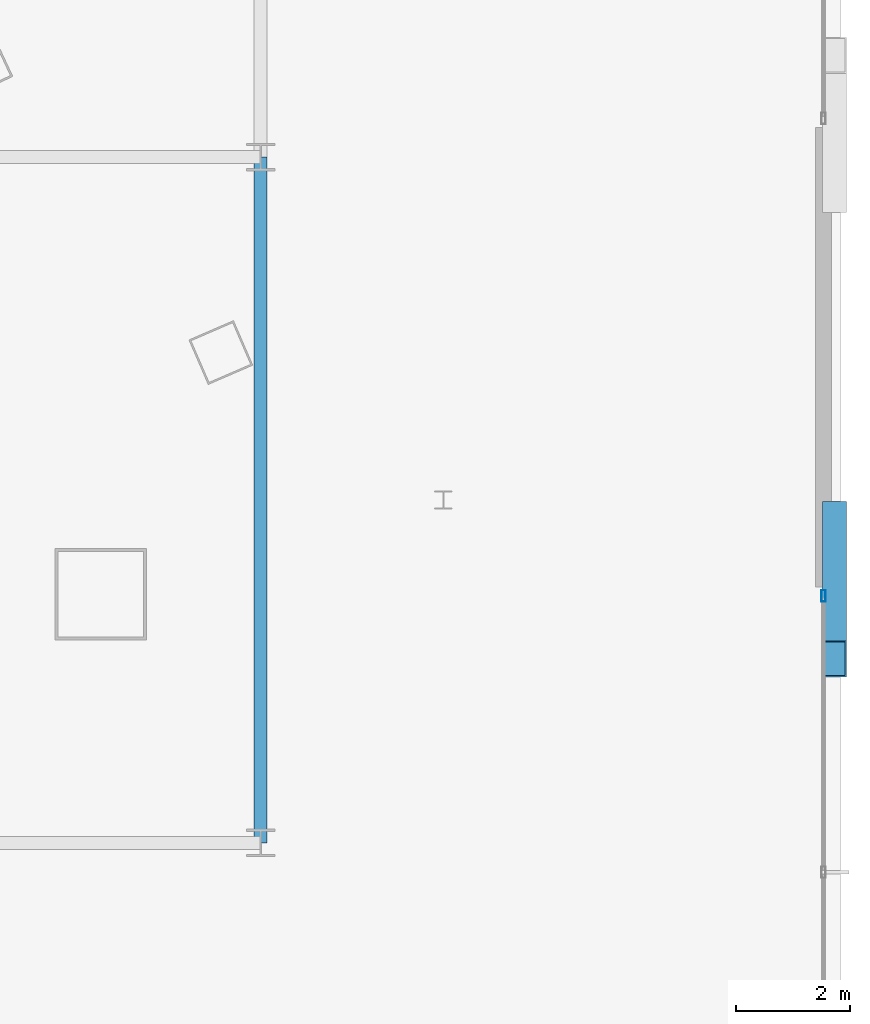
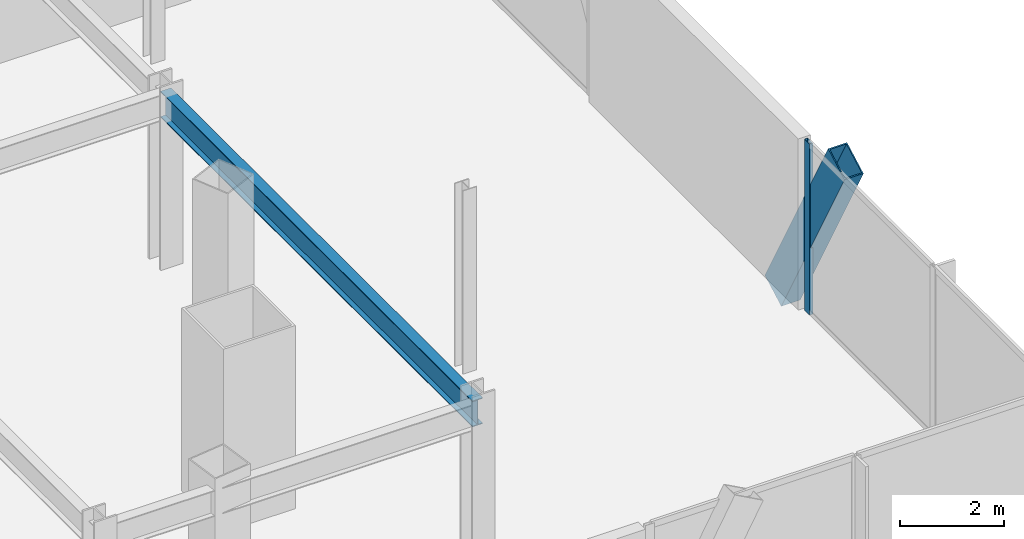
# One storey, part 18 of 42: 2 members, 1 beam, 1 element without a shape of its own.
"""IFC4 building model written with IfcOpenShell, lengths in metres."""

import ifcopenshell
import ifcopenshell.guid

model = None  # the IFC model being written
_history = None  # IfcOwnerHistory: only IFC2X3 demands one
_inside = {}  # id of a spatial element -> (the spatial element, [elements in it])
_under = {}  # id of a project, library or spatial element -> (it, [spatial elements below it])
_declared = {}  # id of a project -> (the project, [libraries it declares])
_typed = {}  # id of a type object -> (the type object, [elements of that type])
_made_of = {}  # id of a material, layer set ... -> (it, [elements and type objects made of it])


def new_model(schema):
    """Start an empty IFC model of exactly this schema.

    Asked for "IFC4X3", IfcOpenShell would pick the latest addendum, in which some entities
    have other attributes; the version numbers below select the first issue.
    IFC2X3 requires an IfcOwnerHistory on every rooted entity: one is made here for all.
    """
    global model, _history
    if schema == "IFC4X3":
        model = ifcopenshell.file(schema_version=(4, 3, 0, 0))
    else:
        model = ifcopenshell.file(schema=schema)
    _inside.clear()
    _under.clear()
    _declared.clear()
    _typed.clear()
    _made_of.clear()
    _history = None
    if model.schema == "IFC2X3":
        org = make("IfcOrganization", Name="unknown")
        user = make(
            "IfcPersonAndOrganization",
            ThePerson=make("IfcPerson", FamilyName="unknown"),
            TheOrganization=org,
        )
        app = make(
            "IfcApplication",
            ApplicationDeveloper=org,
            Version="unknown",
            ApplicationFullName="unknown",
            ApplicationIdentifier="unknown",
        )
        _history = make(
            "IfcOwnerHistory",
            OwningUser=user,
            OwningApplication=app,
            ChangeAction="ADDED",
            CreationDate=0,
        )
    return model


def make(cls, **values):
    """One entity of the class cls with the attributes given. An attribute that is None is left unset."""
    return model.create_entity(
        cls, **{name: value for name, value in values.items() if value is not None}
    )


def rooted(cls, **values):
    """An entity with a GlobalId (a new one), such as an element, a storey or a relation."""
    return make(cls, GlobalId=ifcopenshell.guid.new(), OwnerHistory=_history, **values)


def si_unit(unit_type, name, prefix=None):
    """IfcSIUnit, for example si_unit("LENGTHUNIT", "METRE", prefix="MILLI")."""
    return make("IfcSIUnit", UnitType=unit_type, Prefix=prefix, Name=name)


def assignment(units):
    """IfcUnitAssignment: the units of a project."""
    return None if units is None else make("IfcUnitAssignment", Units=units)


def point(xyz):
    """IfcCartesianPoint."""
    return None if xyz is None else make("IfcCartesianPoint", Coordinates=xyz)


def direction(xyz):
    """IfcDirection."""
    return None if xyz is None else make("IfcDirection", DirectionRatios=xyz)


def frame(location, z_axis=None, x_axis=None):
    """IfcAxis2Placement3D, a coordinate frame: its origin and axes. An axis left out is left unset."""
    return make(
        "IfcAxis2Placement3D",
        Location=point(location),
        Axis=direction(z_axis),
        RefDirection=direction(x_axis),
    )


def frame_2d(location, x_axis=None):
    """IfcAxis2Placement2D, a coordinate frame in the plane: its origin and x axis."""
    return make(
        "IfcAxis2Placement2D", Location=point(location), RefDirection=direction(x_axis)
    )


def origin():
    """The frame at (0, 0, 0) with its axes left unset."""
    return frame((0.0, 0.0, 0.0))


def origin_2d():
    """The frame at (0, 0) in the plane with its x axis left unset."""
    return frame_2d((0.0, 0.0))


def place(relative_to, where):
    """IfcLocalPlacement: puts the frame where relative to a parent placement (None: the world)."""
    return make(
        "IfcLocalPlacement", PlacementRelTo=relative_to, RelativePlacement=where
    )


def context(
    kind, dimensions, precision=None, world=None, true_north=None, identifier=None
):
    """IfcGeometricRepresentationContext, for example the 3D "Model" context."""
    return make(
        "IfcGeometricRepresentationContext",
        ContextIdentifier=identifier,
        ContextType=kind,
        CoordinateSpaceDimension=dimensions,
        Precision=precision,
        WorldCoordinateSystem=world,
        TrueNorth=true_north,
    )


def subcontext(parent, identifier, kind, view, scale=None):
    """IfcGeometricRepresentationSubContext, for example "Body" below "Model"."""
    return make(
        "IfcGeometricRepresentationSubContext",
        ContextIdentifier=identifier,
        ContextType=kind,
        ParentContext=parent,
        TargetScale=scale,
        TargetView=view,
    )


def project(units=None, contexts=None):
    """IfcProject with its units and contexts."""
    return rooted(
        "IfcProject",
        Name="project",
        RepresentationContexts=contexts,
        UnitsInContext=assignment(units),
    )


def spatial(cls, under=None, at=None, **own):
    """A site, building, storey or space (cls), placed at a placement, below another one or the project."""
    s = rooted(cls, ObjectPlacement=at, **own)
    if under is not None:
        _under.setdefault(under.id(), (under, []))[1].append(s)
    return s


def profile(cls, at=None, kind="AREA", **sizes):
    """A parametric profile (cls). Its sizes go by their IFC names, for example OverallWidth=200.0."""
    return make(cls, ProfileType=kind, Position=at, **sizes)


def hollow_rectangle(**sizes):
    """IfcRectangleHollowProfileDef."""
    return profile("IfcRectangleHollowProfileDef", **sizes)


def i_section(**sizes):
    """IfcIShapeProfileDef."""
    return profile("IfcIShapeProfileDef", **sizes)


def extrude(swept, where, along, depth):
    """IfcExtrudedAreaSolid: the profile swept, set in the frame where, extruded along a direction by depth."""
    return make(
        "IfcExtrudedAreaSolid",
        SweptArea=swept,
        Position=where,
        ExtrudedDirection=direction(along),
        Depth=depth,
    )


def shape(context_of_items, identifier, shape_type, items):
    """IfcShapeRepresentation: the items that make up one representation, for example the "Body"."""
    return make(
        "IfcShapeRepresentation",
        ContextOfItems=context_of_items,
        RepresentationIdentifier=identifier,
        RepresentationType=shape_type,
        Items=items,
    )


def material(Name=None, Category=None):
    """IfcMaterial."""
    return make("IfcMaterial", Name=Name, Category=Category)


def layer(
    of_material, thickness, ventilated=None, Name=None, Category=None, Priority=None
):
    """IfcMaterialLayer: one layer of a wall or slab, of a material (None: an air gap)."""
    return make(
        "IfcMaterialLayer",
        Material=of_material,
        LayerThickness=thickness,
        IsVentilated=ventilated,
        Name=Name,
        Category=Category,
        Priority=Priority,
    )


def layer_set(layers, Name=None):
    """IfcMaterialLayerSet."""
    return make("IfcMaterialLayerSet", MaterialLayers=layers, LayerSetName=Name)


def material_profile(
    of_material, cross_section, Name=None, Category=None, Priority=None
):
    """IfcMaterialProfile: a cross section and its material."""
    return make(
        "IfcMaterialProfile",
        Name=Name,
        Material=of_material,
        Profile=cross_section,
        Priority=Priority,
        Category=Category,
    )


def profile_set(profiles, Name=None, composite=None):
    """IfcMaterialProfileSet."""
    return make(
        "IfcMaterialProfileSet",
        Name=Name,
        MaterialProfiles=profiles,
        CompositeProfile=composite,
    )


def made_of(thing, what):
    """Note that an element or type object is made of a material, layer set ...; save() writes the relation."""
    if what is not None:
        _made_of.setdefault(what.id(), (what, []))[1].append(thing)
    return thing


def type_object(cls, material=None, **own):
    """A type object (cls), such as IfcWallType, which elements share."""
    return made_of(rooted(cls, **own), material)


def element(
    cls,
    number,
    at=None,
    inside=None,
    cuts=None,
    type_object=None,
    material=None,
    context=None,
    identifier="Body",
    shape_type=None,
    held_by="IfcProductDefinitionShape",
    body=None,
    shapes=None,
    **own,
):
    """One element of the class cls, such as IfcWall. Its Tag is "e" and its number.

    at: its placement. inside: the storey or other place that contains it. cuts: it is an
    opening in that element (IfcRelVoidsElement). A single representation is given by context,
    identifier, shape_type and body (its items); several are given by shapes. held_by: the class
    of the entity that holds the representations. save() writes the other relations.
    """
    e = rooted(cls, Tag="e%d" % number, ObjectPlacement=at, **own)
    if body is not None:
        shapes = [shape(context, identifier, shape_type, body)]
    if shapes is not None:
        e.Representation = make(held_by, Representations=shapes)
    if inside is not None:
        _inside.setdefault(inside.id(), (inside, []))[1].append(e)
    if cuts is not None:
        rooted(
            "IfcRelVoidsElement", RelatingBuildingElement=cuts, RelatedOpeningElement=e
        )
    if type_object is not None:
        _typed.setdefault(type_object.id(), (type_object, []))[1].append(e)
    return made_of(e, material)


def aggregate(whole, parts):
    """IfcRelAggregates: a whole, such as a stair, and the parts it consists of."""
    return rooted("IfcRelAggregates", RelatingObject=whole, RelatedObjects=parts)


def save(model, path):
    """Write the relations noted so far, then the file.

    IfcRelAggregates (storeys below a building ...), IfcRelContainedInSpatialStructure (elements
    in a storey), IfcRelDefinesByType, IfcRelAssociatesMaterial and IfcRelDeclares: one each for
    every whole, place, type object, material and project.
    """
    for whole, parts in _under.values():
        aggregate(whole, parts)
    for where, things in _inside.values():
        rooted(
            "IfcRelContainedInSpatialStructure",
            RelatedElements=things,
            RelatingStructure=where,
        )
    for kind, things in _typed.values():
        rooted("IfcRelDefinesByType", RelatedObjects=things, RelatingType=kind)
    for what, things in _made_of.values():
        rooted("IfcRelAssociatesMaterial", RelatedObjects=things, RelatingMaterial=what)
    for by, libraries in _declared.values():
        rooted("IfcRelDeclares", RelatingContext=by, RelatedDefinitions=libraries)
    model.write(path)


model = new_model("IFC4")

# Units and contexts
model_context = context("Model", 3, precision=1e-05, world=origin(), true_north=direction((0.0, 1.0)))
body_context = subcontext(model_context, "Body", "Model", "MODEL_VIEW")
ifc_project = project(units=[si_unit("LENGTHUNIT", "METRE"), si_unit("AREAUNIT", "SQUARE_METRE"), si_unit("VOLUMEUNIT", "CUBIC_METRE"), si_unit("PLANEANGLEUNIT", "RADIAN"), si_unit("MASSUNIT", "GRAM", prefix="KILO")], contexts=[model_context])

# Site, building, storey
site_placement = place(None, origin())
site = spatial("IfcSite", under=ifc_project, at=site_placement, CompositionType="ELEMENT")
building_placement = place(site_placement, origin())
building = spatial("IfcBuilding", under=site, at=building_placement, Name="Orvanel Arch Residences", CompositionType="ELEMENT")
storey_placement = place(building_placement, frame((0.0, 0.0, 5.5)))
storey = spatial("IfcBuildingStorey", under=building, at=storey_placement, Name="L01", CompositionType="ELEMENT", Elevation=5.5)

# Beam
ifc_material_1 = material(Name="Structural steel AS/NZS 3679.1 Grade 300 (300 MPa)", Category="steel")
ifc_material_profile_1 = material_profile(ifc_material_1, i_section(OverallWidth=0.22900390625, OverallDepth=0.612060546875, WebThickness=0.011962890625, FlangeThickness=0.01953125, at=origin_2d()), Name="610UB125")
ifc_profile_set_1 = profile_set([ifc_material_profile_1], Name="Structural steel AS/NZS 3679.1 Grade 300 (300 MPa)")
beam_type = type_object("IfcBeamType", Name="BG-610UB", PredefinedType="BEAM", material=ifc_profile_set_1)
beam_placement = place(storey_placement, frame((54.60009765625, 6.0, 3.714111328125), z_axis=(0.0, 1.0, 0.0), x_axis=(-1.0, 0.0, 0.0)))
element("IfcBeam", 1, at=beam_placement, inside=storey, type_object=beam_type, Name="L01 North-South Podium Girder XE55-S", PredefinedType="BEAM", context=body_context, shape_type="SweptSolid", body=[
    extrude(i_section(OverallWidth=0.22900390625, OverallDepth=0.612060546875, WebThickness=0.011962890625, FlangeThickness=0.01953125, at=origin_2d()), origin(), (0.0, 0.0, 1.0), 12.0),
])

# Member
ifc_material_2 = material(Name="Structural steel AS/NZS 3678 Grade 350", Category="steel")
ifc_material_profile_2 = material_profile(ifc_material_2, hollow_rectangle(XDim=0.419921875, YDim=0.719970703125, WallThickness=0.02490234375, at=origin_2d()), Name="RHS720x420x25")
ifc_profile_set_2 = profile_set([ifc_material_profile_2], Name="Structural steel AS/NZS 3678 Grade 350")
member_type_1 = type_object("IfcMemberType", Name="BR-720RHS-EXT", PredefinedType="BRACE", material=ifc_profile_set_2)
member_1_placement = place(storey_placement, frame((64.639892578125, 11.654052734375, -0.300048828125), z_axis=(0.0, -0.480038670678, 0.877247328097), x_axis=(1.0, 0.0, 0.0)))
element("IfcMember", 2, at=member_1_placement, inside=storey, type_object=member_type_1, Name="L01 Podium Multi-Storey V-Strut Pair E1 Leg 1", PredefinedType="BRACE", context=body_context, shape_type="SweptSolid", body=[
    extrude(hollow_rectangle(XDim=0.419921875, YDim=0.719970703125, WallThickness=0.02490234375, at=origin_2d()), origin(), (0.0, 0.0, 1.0), 5.072509765625),
])

# Curtain wall, member
ifc_material_3 = material(Name="Bronze-anodised aluminium AA6063-T6", Category="aluminium")
ifc_layer = layer(ifc_material_3, 0.199951171875)
ifc_layer_set = layer_set([ifc_layer], Name="Bronze-anodised aluminium AA6063-T6")
curtain_wall_type = type_object("IfcCurtainWallType", Name="CW1-POD-SYS", PredefinedType="NOTDEFINED", material=ifc_layer_set)
curtain_wall_placement = place(storey_placement, origin())
curtain_wall = element("IfcCurtainWall", 3, at=curtain_wall_placement, inside=storey, type_object=curtain_wall_type, Name="L01 CW1-POD-SYS Unitised Curtain Wall", PredefinedType="NOTDEFINED")
ifc_material_profile_3 = material_profile(ifc_material_3, hollow_rectangle(XDim=0.074951171875, YDim=0.199951171875, WallThickness=0.0048828125, at=origin_2d()), Name="ALU200x75x5")
ifc_profile_set_3 = profile_set([ifc_material_profile_3], Name="Bronze-anodised aluminium AA6063-T6")
member_type_2 = type_object("IfcMemberType", Name="MUL-200x75", PredefinedType="MULLION", material=ifc_profile_set_3)
member_2_placement = place(storey_placement, frame((64.449951171875, 10.322509765625, 0.0), z_axis=(0.0, 0.0, 1.0), x_axis=(-1.0, 0.0, 0.0)))
member_2 = element("IfcMember", 4, at=member_2_placement, type_object=member_type_2, Name="CW-S1 mullion 3", PredefinedType="MULLION", context=body_context, shape_type="SweptSolid", body=[
    extrude(hollow_rectangle(XDim=0.074951171875, YDim=0.199951171875, WallThickness=0.0048828125, at=origin_2d()), origin(), (0.0, 0.0, 1.0), 4.02001953125),
])
aggregate(curtain_wall, [member_2])

save(model, "model.ifc")
